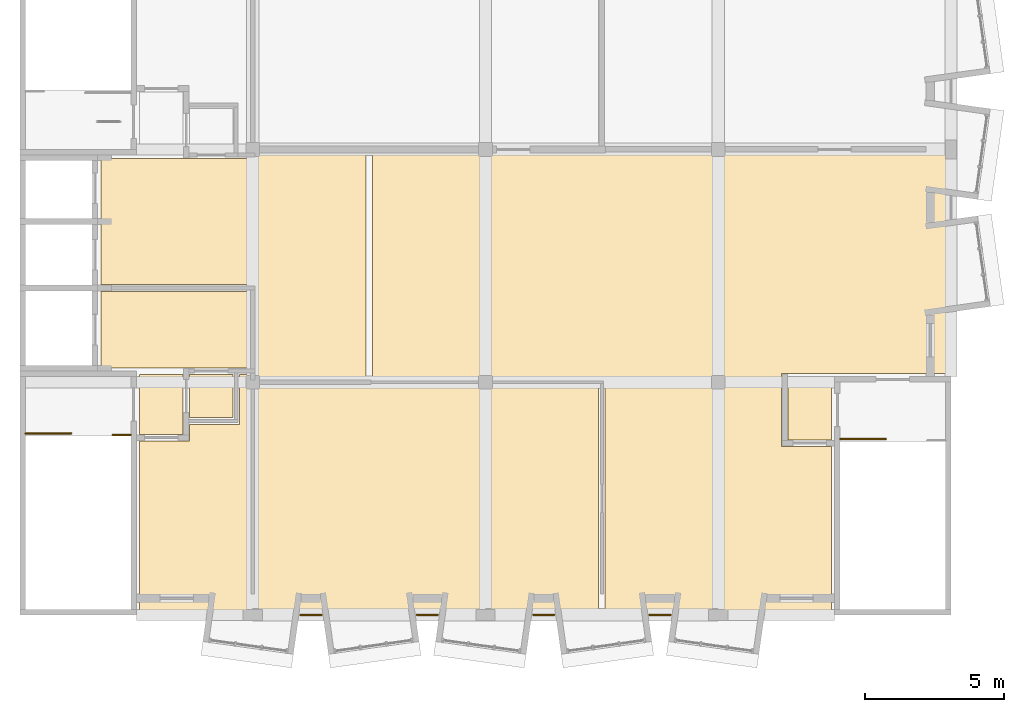
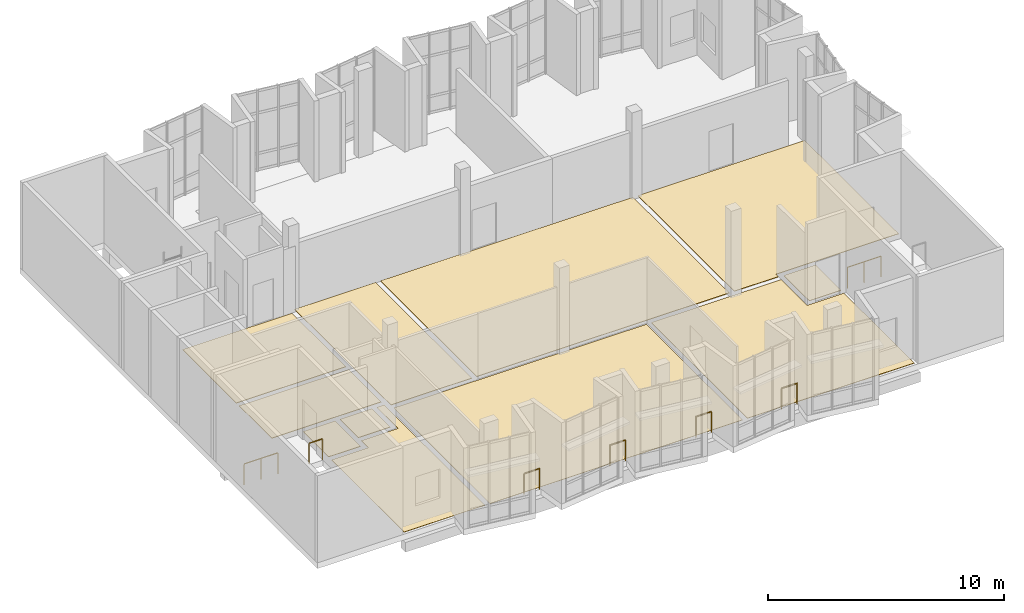
# One storey, part 13 of 15: 11 coverings, 7 railings.
"""IFC4 building model written with IfcOpenShell, lengths in metres."""

import ifcopenshell
import ifcopenshell.guid

model = None  # the IFC model being written
_history = None  # IfcOwnerHistory: only IFC2X3 demands one
_inside = {}  # id of a spatial element -> (the spatial element, [elements in it])
_under = {}  # id of a project, library or spatial element -> (it, [spatial elements below it])
_declared = {}  # id of a project -> (the project, [libraries it declares])
_typed = {}  # id of a type object -> (the type object, [elements of that type])
_made_of = {}  # id of a material, layer set ... -> (it, [elements and type objects made of it])


def new_model(schema):
    """Start an empty IFC model of exactly this schema.

    Asked for "IFC4X3", IfcOpenShell would pick the latest addendum, in which some entities
    have other attributes; the version numbers below select the first issue.
    IFC2X3 requires an IfcOwnerHistory on every rooted entity: one is made here for all.
    """
    global model, _history
    if schema == "IFC4X3":
        model = ifcopenshell.file(schema_version=(4, 3, 0, 0))
    else:
        model = ifcopenshell.file(schema=schema)
    _inside.clear()
    _under.clear()
    _declared.clear()
    _typed.clear()
    _made_of.clear()
    _history = None
    if model.schema == "IFC2X3":
        org = make("IfcOrganization", Name="unknown")
        user = make(
            "IfcPersonAndOrganization",
            ThePerson=make("IfcPerson", FamilyName="unknown"),
            TheOrganization=org,
        )
        app = make(
            "IfcApplication",
            ApplicationDeveloper=org,
            Version="unknown",
            ApplicationFullName="unknown",
            ApplicationIdentifier="unknown",
        )
        _history = make(
            "IfcOwnerHistory",
            OwningUser=user,
            OwningApplication=app,
            ChangeAction="ADDED",
            CreationDate=0,
        )
    return model


def make(cls, **values):
    """One entity of the class cls with the attributes given. An attribute that is None is left unset."""
    return model.create_entity(
        cls, **{name: value for name, value in values.items() if value is not None}
    )


def rooted(cls, **values):
    """An entity with a GlobalId (a new one), such as an element, a storey or a relation."""
    return make(cls, GlobalId=ifcopenshell.guid.new(), OwnerHistory=_history, **values)


def si_unit(unit_type, name, prefix=None):
    """IfcSIUnit, for example si_unit("LENGTHUNIT", "METRE", prefix="MILLI")."""
    return make("IfcSIUnit", UnitType=unit_type, Prefix=prefix, Name=name)


def assignment(units):
    """IfcUnitAssignment: the units of a project."""
    return None if units is None else make("IfcUnitAssignment", Units=units)


def point(xyz):
    """IfcCartesianPoint."""
    return None if xyz is None else make("IfcCartesianPoint", Coordinates=xyz)


def direction(xyz):
    """IfcDirection."""
    return None if xyz is None else make("IfcDirection", DirectionRatios=xyz)


def frame(location, z_axis=None, x_axis=None):
    """IfcAxis2Placement3D, a coordinate frame: its origin and axes. An axis left out is left unset."""
    return make(
        "IfcAxis2Placement3D",
        Location=point(location),
        Axis=direction(z_axis),
        RefDirection=direction(x_axis),
    )


def frame_2d(location, x_axis=None):
    """IfcAxis2Placement2D, a coordinate frame in the plane: its origin and x axis."""
    return make(
        "IfcAxis2Placement2D", Location=point(location), RefDirection=direction(x_axis)
    )


def origin():
    """The frame at (0, 0, 0) with its axes left unset."""
    return frame((0.0, 0.0, 0.0))


def origin_2d():
    """The frame at (0, 0) in the plane with its x axis left unset."""
    return frame_2d((0.0, 0.0))


def place(relative_to, where):
    """IfcLocalPlacement: puts the frame where relative to a parent placement (None: the world)."""
    return make(
        "IfcLocalPlacement", PlacementRelTo=relative_to, RelativePlacement=where
    )


def context(
    kind, dimensions, precision=None, world=None, true_north=None, identifier=None
):
    """IfcGeometricRepresentationContext, for example the 3D "Model" context."""
    return make(
        "IfcGeometricRepresentationContext",
        ContextIdentifier=identifier,
        ContextType=kind,
        CoordinateSpaceDimension=dimensions,
        Precision=precision,
        WorldCoordinateSystem=world,
        TrueNorth=true_north,
    )


def subcontext(parent, identifier, kind, view, scale=None):
    """IfcGeometricRepresentationSubContext, for example "Body" below "Model"."""
    return make(
        "IfcGeometricRepresentationSubContext",
        ContextIdentifier=identifier,
        ContextType=kind,
        ParentContext=parent,
        TargetScale=scale,
        TargetView=view,
    )


def project(units=None, contexts=None):
    """IfcProject with its units and contexts."""
    return rooted(
        "IfcProject",
        Name="project",
        RepresentationContexts=contexts,
        UnitsInContext=assignment(units),
    )


def spatial(cls, under=None, at=None, **own):
    """A site, building, storey or space (cls), placed at a placement, below another one or the project."""
    s = rooted(cls, ObjectPlacement=at, **own)
    if under is not None:
        _under.setdefault(under.id(), (under, []))[1].append(s)
    return s


def polyline(points):
    """IfcPolyline through the points."""
    return make("IfcPolyline", Points=[point(p) for p in points])


def profile(cls, at=None, kind="AREA", **sizes):
    """A parametric profile (cls). Its sizes go by their IFC names, for example OverallWidth=200.0."""
    return make(cls, ProfileType=kind, Position=at, **sizes)


def circle(**sizes):
    """IfcCircleProfileDef."""
    return profile("IfcCircleProfileDef", **sizes)


def outline(outer, holes=None, kind="AREA"):
    """IfcArbitraryClosedProfileDef: a profile drawn as a closed curve; with holes, ...WithVoids."""
    if holes is None:
        return make("IfcArbitraryClosedProfileDef", ProfileType=kind, OuterCurve=outer)
    return make(
        "IfcArbitraryProfileDefWithVoids",
        ProfileType=kind,
        OuterCurve=outer,
        InnerCurves=holes,
    )


def extrude(swept, where, along, depth):
    """IfcExtrudedAreaSolid: the profile swept, set in the frame where, extruded along a direction by depth."""
    return make(
        "IfcExtrudedAreaSolid",
        SweptArea=swept,
        Position=where,
        ExtrudedDirection=direction(along),
        Depth=depth,
    )


def shape(context_of_items, identifier, shape_type, items):
    """IfcShapeRepresentation: the items that make up one representation, for example the "Body"."""
    return make(
        "IfcShapeRepresentation",
        ContextOfItems=context_of_items,
        RepresentationIdentifier=identifier,
        RepresentationType=shape_type,
        Items=items,
    )


def material(Name=None, Category=None):
    """IfcMaterial."""
    return make("IfcMaterial", Name=Name, Category=Category)


def layer(
    of_material, thickness, ventilated=None, Name=None, Category=None, Priority=None
):
    """IfcMaterialLayer: one layer of a wall or slab, of a material (None: an air gap)."""
    return make(
        "IfcMaterialLayer",
        Material=of_material,
        LayerThickness=thickness,
        IsVentilated=ventilated,
        Name=Name,
        Category=Category,
        Priority=Priority,
    )


def layer_set(layers, Name=None):
    """IfcMaterialLayerSet."""
    return make("IfcMaterialLayerSet", MaterialLayers=layers, LayerSetName=Name)


def made_of(thing, what):
    """Note that an element or type object is made of a material, layer set ...; save() writes the relation."""
    if what is not None:
        _made_of.setdefault(what.id(), (what, []))[1].append(thing)
    return thing


def type_object(cls, material=None, **own):
    """A type object (cls), such as IfcWallType, which elements share."""
    return made_of(rooted(cls, **own), material)


def element(
    cls,
    number,
    at=None,
    inside=None,
    cuts=None,
    type_object=None,
    material=None,
    context=None,
    identifier="Body",
    shape_type=None,
    held_by="IfcProductDefinitionShape",
    body=None,
    shapes=None,
    **own,
):
    """One element of the class cls, such as IfcWall. Its Tag is "e" and its number.

    at: its placement. inside: the storey or other place that contains it. cuts: it is an
    opening in that element (IfcRelVoidsElement). A single representation is given by context,
    identifier, shape_type and body (its items); several are given by shapes. held_by: the class
    of the entity that holds the representations. save() writes the other relations.
    """
    e = rooted(cls, Tag="e%d" % number, ObjectPlacement=at, **own)
    if body is not None:
        shapes = [shape(context, identifier, shape_type, body)]
    if shapes is not None:
        e.Representation = make(held_by, Representations=shapes)
    if inside is not None:
        _inside.setdefault(inside.id(), (inside, []))[1].append(e)
    if cuts is not None:
        rooted(
            "IfcRelVoidsElement", RelatingBuildingElement=cuts, RelatedOpeningElement=e
        )
    if type_object is not None:
        _typed.setdefault(type_object.id(), (type_object, []))[1].append(e)
    return made_of(e, material)


def aggregate(whole, parts):
    """IfcRelAggregates: a whole, such as a stair, and the parts it consists of."""
    return rooted("IfcRelAggregates", RelatingObject=whole, RelatedObjects=parts)


def save(model, path):
    """Write the relations noted so far, then the file.

    IfcRelAggregates (storeys below a building ...), IfcRelContainedInSpatialStructure (elements
    in a storey), IfcRelDefinesByType, IfcRelAssociatesMaterial and IfcRelDeclares: one each for
    every whole, place, type object, material and project.
    """
    for whole, parts in _under.values():
        aggregate(whole, parts)
    for where, things in _inside.values():
        rooted(
            "IfcRelContainedInSpatialStructure",
            RelatedElements=things,
            RelatingStructure=where,
        )
    for kind, things in _typed.values():
        rooted("IfcRelDefinesByType", RelatedObjects=things, RelatingType=kind)
    for what, things in _made_of.values():
        rooted("IfcRelAssociatesMaterial", RelatedObjects=things, RelatingMaterial=what)
    for by, libraries in _declared.values():
        rooted("IfcRelDeclares", RelatingContext=by, RelatedDefinitions=libraries)
    model.write(path)


model = new_model("IFC4")

# Units and contexts
model_context = context("Model", 3, precision=1e-05, world=origin(), true_north=direction((0.0, 1.0)))
body_context = subcontext(model_context, "Body", "Model", "MODEL_VIEW")
ifc_project = project(units=[si_unit("LENGTHUNIT", "METRE"), si_unit("AREAUNIT", "SQUARE_METRE"), si_unit("VOLUMEUNIT", "CUBIC_METRE"), si_unit("PLANEANGLEUNIT", "RADIAN"), si_unit("MASSUNIT", "GRAM", prefix="KILO")], contexts=[model_context])

# Site, building, storey
site_placement = place(None, origin())
site = spatial("IfcSite", under=ifc_project, at=site_placement, CompositionType="ELEMENT")
building_placement = place(site_placement, origin())
building = spatial("IfcBuilding", under=site, at=building_placement, Name="Kiln Court Media Centre", CompositionType="ELEMENT")
storey_placement = place(building_placement, frame((0.0, 0.0, 38.10009765625)))
storey = spatial("IfcBuildingStorey", under=building, at=storey_placement, Name="L08", CompositionType="ELEMENT", Elevation=38.10009765625)

# Coverings
ifc_material_1 = material(Name="Carpet tile")
ifc_layer_1 = layer(ifc_material_1, 0.014892578125)
ifc_layer_set_1 = layer_set([ifc_layer_1], Name="Carpet tile floor finish 15")
covering_type_1 = type_object("IfcCoveringType", Name="Carpet tile floor finish 15", PredefinedType="FLOORING", material=ifc_layer_set_1)
covering_1_placement = place(storey_placement, origin())
element("IfcCovering", 1, at=covering_1_placement, inside=storey, type_object=covering_type_1, Name="Board Suite floor finish", PredefinedType="FLOORING", context=body_context, shape_type="SweptSolid", body=[
    extrude(outline(polyline([(8.52001953125, 0.1201171875), (20.8798828125, 0.1201171875), (20.8798828125, 8.280029296875), (8.52001953125, 8.280029296875), (8.52001953125, 0.1201171875)])), origin(), (0.0, 0.0, 1.0), 0.014892578125),
])
ifc_material_2 = material(Name="Ceramic tile")
ifc_layer_2 = layer(ifc_material_2, 0.011962890625)
ifc_layer_set_2 = layer_set([ifc_layer_2], Name="Ceramic tile floor finish 12")
covering_type_2 = type_object("IfcCoveringType", Name="Ceramic tile floor finish 12", PredefinedType="FLOORING", material=ifc_layer_set_2)
covering_2_placement = place(storey_placement, origin())
element("IfcCovering", 2, at=covering_2_placement, inside=storey, type_object=covering_type_2, Name="Toilets and Accessible WC floor finish", PredefinedType="FLOORING", context=body_context, shape_type="SweptSolid", body=[
    extrude(outline(polyline([(8.280029296875, 8.679931640625), (7.919921875, 8.679931640625), (7.919921875, 6.8798828125), (6.1201171875, 6.8798828125), (6.1201171875, 6.280029296875), (4.320068359375, 6.280029296875), (4.320068359375, 0.1201171875), (8.280029296875, 0.1201171875), (8.280029296875, 8.679931640625)])), origin(), (0.0, 0.0, 1.0), 0.011962890625),
])
ifc_material_3 = material(Name="Engineered timber", Category="wood")
ifc_layer_3 = layer(ifc_material_3, 0.02001953125)
ifc_layer_set_3 = layer_set([ifc_layer_3], Name="Engineered timber floor finish 20")
covering_type_3 = type_object("IfcCoveringType", Name="Engineered timber floor finish 20", PredefinedType="FLOORING", material=ifc_layer_set_3)
covering_3_placement = place(storey_placement, origin())
element("IfcCovering", 3, at=covering_3_placement, inside=storey, type_object=covering_type_3, Name="Club Lounge floor finish", PredefinedType="FLOORING", context=body_context, shape_type="SweptSolid", body=[
    extrude(outline(polyline([(29.280029296875, 0.1201171875), (29.280029296875, 6.080078125), (27.47998046875, 6.080078125), (27.47998046875, 8.280029296875), (21.1201171875, 8.280029296875), (21.1201171875, 0.1201171875), (29.280029296875, 0.1201171875)])), origin(), (0.0, 0.0, 1.0), 0.02001953125),
])
ifc_material_4 = material(Name="Terrazzo")
ifc_layer_4 = layer(ifc_material_4, 0.02490234375)
ifc_layer_set_4 = layer_set([ifc_layer_4], Name="Polished terrazzo floor finish 25")
covering_type_4 = type_object("IfcCoveringType", Name="Polished terrazzo floor finish 25", PredefinedType="FLOORING", material=ifc_layer_set_4)
covering_4_placement = place(storey_placement, origin())
element("IfcCovering", 4, at=covering_4_placement, inside=storey, type_object=covering_type_4, Name="Stair 3 Vestibule floor finish", PredefinedType="FLOORING", context=body_context, shape_type="SweptSolid", body=[
    extrude(outline(polyline([(27.719970703125, 6.320068359375), (29.280029296875, 6.320068359375), (29.280029296875, 8.47998046875), (27.719970703125, 8.47998046875), (27.719970703125, 6.320068359375)])), origin(), (0.0, 0.0, 1.0), 0.02490234375),
])
covering_5_placement = place(storey_placement, origin())
element("IfcCovering", 5, at=covering_5_placement, inside=storey, type_object=covering_type_4, Name="Stair 1 Vestibule floor finish", PredefinedType="FLOORING", context=body_context, shape_type="SweptSolid", body=[
    extrude(outline(polyline([(4.320068359375, 6.52001953125), (5.8798828125, 6.52001953125), (5.8798828125, 8.679931640625), (4.320068359375, 8.679931640625), (4.320068359375, 6.52001953125)])), origin(), (0.0, 0.0, 1.0), 0.02490234375),
])
covering_6_placement = place(storey_placement, origin())
element("IfcCovering", 6, at=covering_6_placement, inside=storey, type_object=covering_type_4, Name="Wheelchair Refuge floor finish", PredefinedType="FLOORING", context=body_context, shape_type="SweptSolid", body=[
    extrude(outline(polyline([(6.1201171875, 7.1201171875), (7.679931640625, 7.1201171875), (7.679931640625, 8.679931640625), (6.1201171875, 8.679931640625), (6.1201171875, 7.1201171875)])), origin(), (0.0, 0.0, 1.0), 0.02490234375),
])
covering_7_placement = place(storey_placement, origin())
element("IfcCovering", 7, at=covering_7_placement, inside=storey, type_object=covering_type_4, Name="Upper Landing floor finish", PredefinedType="FLOORING", context=body_context, shape_type="SweptSolid", body=[
    extrude(outline(polyline([(8.52001953125, 8.52001953125), (12.47998046875, 8.52001953125), (12.47998046875, 16.679931640625), (8.52001953125, 16.679931640625), (8.52001953125, 8.52001953125)])), origin(), (0.0, 0.0, 1.0), 0.02490234375),
])
covering_8_placement = place(storey_placement, origin())
element("IfcCovering", 8, at=covering_8_placement, inside=storey, type_object=covering_type_4, Name="Exhibition Loft floor finish", PredefinedType="FLOORING", context=body_context, shape_type="SweptSolid", body=[
    extrude(outline(polyline([(12.719970703125, 8.52001953125), (25.080078125, 8.52001953125), (25.080078125, 16.679931640625), (12.719970703125, 16.679931640625), (12.719970703125, 8.52001953125)])), origin(), (0.0, 0.0, 1.0), 0.02490234375),
])
covering_9_placement = place(storey_placement, origin())
element("IfcCovering", 9, at=covering_9_placement, inside=storey, type_object=covering_type_4, Name="East Lobby floor finish", PredefinedType="FLOORING", context=body_context, shape_type="SweptSolid", body=[
    extrude(outline(polyline([(25.320068359375, 8.52001953125), (27.47998046875, 8.52001953125), (27.47998046875, 8.719970703125), (33.47998046875, 8.719970703125), (33.47998046875, 16.679931640625), (25.320068359375, 16.679931640625), (25.320068359375, 8.52001953125)])), origin(), (0.0, 0.0, 1.0), 0.02490234375),
])
covering_10_placement = place(storey_placement, origin())
element("IfcCovering", 10, at=covering_10_placement, inside=storey, type_object=covering_type_4, Name="Fire-fighting Lift Lobby floor finish", PredefinedType="FLOORING", context=body_context, shape_type="SweptSolid", body=[
    extrude(outline(polyline([(2.919921875, 8.919921875), (8.280029296875, 8.919921875), (8.280029296875, 11.679931640625), (2.919921875, 11.679931640625), (2.919921875, 8.919921875)])), origin(), (0.0, 0.0, 1.0), 0.02490234375),
])
covering_11_placement = place(storey_placement, origin())
element("IfcCovering", 11, at=covering_11_placement, inside=storey, type_object=covering_type_4, Name="Passenger Lift Lobby floor finish", PredefinedType="FLOORING", context=body_context, shape_type="SweptSolid", body=[
    extrude(outline(polyline([(2.919921875, 11.919921875), (8.280029296875, 11.919921875), (8.280029296875, 16.47998046875), (2.919921875, 16.47998046875), (2.919921875, 11.919921875)])), origin(), (0.0, 0.0, 1.0), 0.02490234375),
])

# Railings
ifc_material_5 = material(Name="Steel S275", Category="steel")
railing_type_1 = type_object("IfcRailingType", Name="Steel S275 balustrade guard 1100", PredefinedType="GUARDRAIL", material=ifc_material_5)
for number, where, name in (
    (12, (23.482421875, 0.0, 0.0), "L08 slab notch guard"),
    (13, (19.2822265625, 0.0, 0.0), "L08 slab notch guard"),
    (14, (15.082275390625, 0.0, 0.0), "L08 slab notch guard"),
    (15, (10.88232421875, 0.0, 0.0), "L08 slab notch guard"),
):
    element("IfcRailing", number, at=place(storey_placement, frame(where)), inside=storey, type_object=railing_type_1, Name=name, PredefinedType="GUARDRAIL", context=body_context, shape_type="SweptSolid", body=[
        extrude(circle(Radius=0.02392578125, at=origin_2d()), frame((0.0, 0.0, 1.076171875), z_axis=(-1.0, 0.0, 0.0), x_axis=(0.0, -1.0, 0.0)), (0.0, 0.0, 1.0), 0.7646484375),
        extrude(circle(Radius=0.02099609375, at=origin_2d()), origin(), (0.0, 0.0, 1.0), 1.052001953125),
        extrude(circle(Radius=0.02099609375, at=origin_2d()), frame((-0.7646484375, 0.0, 0.0)), (0.0, 0.0, 1.0), 1.052001953125),
    ])
ifc_material_6 = material(Name="Steel S275", Category="steel")
railing_type_2 = type_object("IfcRailingType", Name="Steel S275 stair guard 1100", PredefinedType="GUARDRAIL", material=ifc_material_6)
railing_1_placement = place(storey_placement, frame((3.35009765625, 6.5, 0.0)))
element("IfcRailing", 16, at=railing_1_placement, inside=storey, type_object=railing_type_2, Name="ST-01 landing edge guard", PredefinedType="GUARDRAIL", context=body_context, shape_type="SweptSolid", body=[
    extrude(circle(Radius=0.02392578125, at=origin_2d()), frame((0.0, 0.0, 1.076171875), z_axis=(1.0, 0.0, 0.0), x_axis=(0.0, 1.0, 0.0)), (0.0, 0.0, 1.0), 0.64990234375),
    extrude(circle(Radius=0.02099609375, at=origin_2d()), origin(), (0.0, 0.0, 1.0), 1.052001953125),
    extrude(circle(Radius=0.02099609375, at=origin_2d()), frame((0.64990234375, 0.0, 0.0)), (0.0, 0.0, 1.0), 1.052001953125),
])
railing_2_placement = place(storey_placement, frame((0.199951171875, 6.550048828125, 0.0)))
element("IfcRailing", 17, at=railing_2_placement, inside=storey, type_object=railing_type_2, Name="ST-01 top floor guard", PredefinedType="GUARDRAIL", context=body_context, shape_type="SweptSolid", body=[
    extrude(circle(Radius=0.02392578125, at=origin_2d()), frame((0.0, 0.0, 1.076171875), z_axis=(1.0, 0.0, 0.0), x_axis=(0.0, 1.0, 0.0)), (0.0, 0.0, 1.0), 1.650146484375),
    extrude(circle(Radius=0.02099609375, at=origin_2d()), origin(), (0.0, 0.0, 1.0), 1.052001953125),
    extrude(circle(Radius=0.02099609375, at=origin_2d()), frame((0.8251953125, 0.0, 0.0)), (0.0, 0.0, 1.0), 1.052001953125),
    extrude(circle(Radius=0.02099609375, at=origin_2d()), frame((1.650146484375, 0.0, 0.0)), (0.0, 0.0, 1.0), 1.052001953125),
])
railing_3_placement = place(storey_placement, frame((29.60009765625, 6.35009765625, 0.0)))
element("IfcRailing", 18, at=railing_3_placement, inside=storey, type_object=railing_type_2, Name="ST-03 top floor guard", PredefinedType="GUARDRAIL", context=body_context, shape_type="SweptSolid", body=[
    extrude(circle(Radius=0.02392578125, at=origin_2d()), frame((0.0, 0.0, 1.076171875), z_axis=(1.0, 0.0, 0.0), x_axis=(0.0, 1.0, 0.0)), (0.0, 0.0, 1.0), 1.64990234375),
    extrude(circle(Radius=0.02099609375, at=origin_2d()), origin(), (0.0, 0.0, 1.0), 1.052001953125),
    extrude(circle(Radius=0.02099609375, at=origin_2d()), frame((0.824951171875, 0.0, 0.0)), (0.0, 0.0, 1.0), 1.052001953125),
    extrude(circle(Radius=0.02099609375, at=origin_2d()), frame((1.64990234375, 0.0, 0.0)), (0.0, 0.0, 1.0), 1.052001953125),
])

save(model, "model.ifc")
